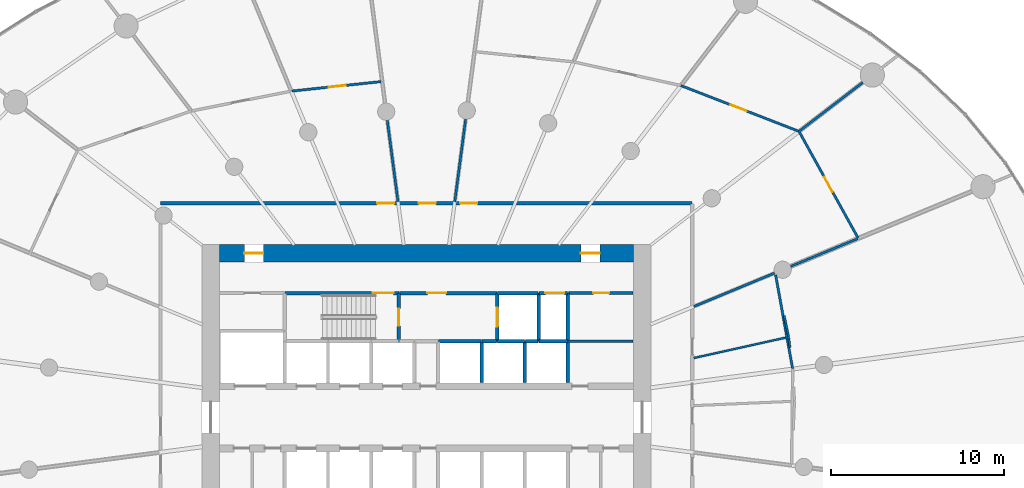
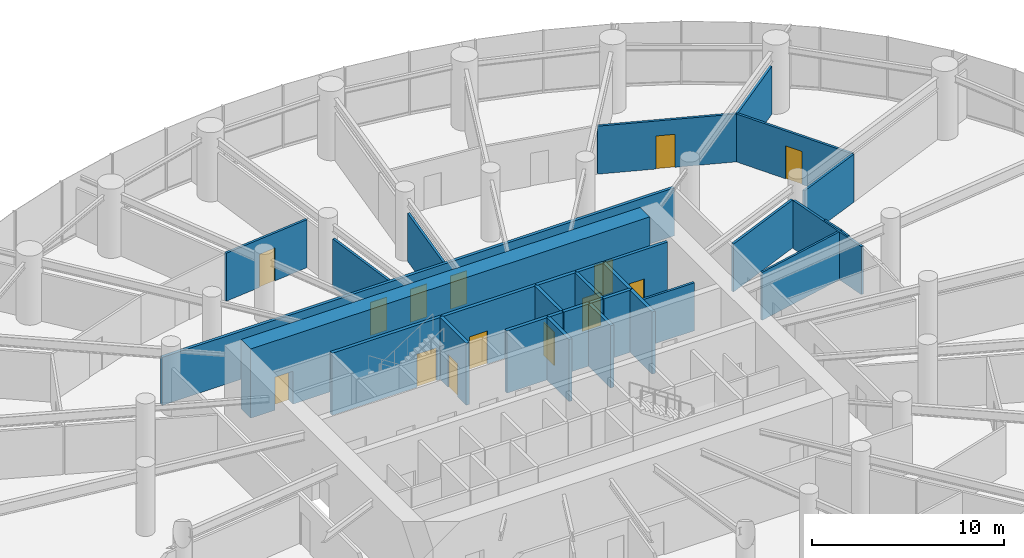
# One storey, part 15 of 19: 32 walls, 14 doors, 14 openings.
"""IFC4 building model written with IfcOpenShell, lengths in metres."""

import ifcopenshell
import ifcopenshell.guid

model = None  # the IFC model being written
_history = None  # IfcOwnerHistory: only IFC2X3 demands one
_inside = {}  # id of a spatial element -> (the spatial element, [elements in it])
_under = {}  # id of a project, library or spatial element -> (it, [spatial elements below it])
_declared = {}  # id of a project -> (the project, [libraries it declares])
_typed = {}  # id of a type object -> (the type object, [elements of that type])
_made_of = {}  # id of a material, layer set ... -> (it, [elements and type objects made of it])


def new_model(schema):
    """Start an empty IFC model of exactly this schema.

    Asked for "IFC4X3", IfcOpenShell would pick the latest addendum, in which some entities
    have other attributes; the version numbers below select the first issue.
    IFC2X3 requires an IfcOwnerHistory on every rooted entity: one is made here for all.
    """
    global model, _history
    if schema == "IFC4X3":
        model = ifcopenshell.file(schema_version=(4, 3, 0, 0))
    else:
        model = ifcopenshell.file(schema=schema)
    _inside.clear()
    _under.clear()
    _declared.clear()
    _typed.clear()
    _made_of.clear()
    _history = None
    if model.schema == "IFC2X3":
        org = make("IfcOrganization", Name="unknown")
        user = make(
            "IfcPersonAndOrganization",
            ThePerson=make("IfcPerson", FamilyName="unknown"),
            TheOrganization=org,
        )
        app = make(
            "IfcApplication",
            ApplicationDeveloper=org,
            Version="unknown",
            ApplicationFullName="unknown",
            ApplicationIdentifier="unknown",
        )
        _history = make(
            "IfcOwnerHistory",
            OwningUser=user,
            OwningApplication=app,
            ChangeAction="ADDED",
            CreationDate=0,
        )
    return model


def make(cls, **values):
    """One entity of the class cls with the attributes given. An attribute that is None is left unset."""
    return model.create_entity(
        cls, **{name: value for name, value in values.items() if value is not None}
    )


def rooted(cls, **values):
    """An entity with a GlobalId (a new one), such as an element, a storey or a relation."""
    return make(cls, GlobalId=ifcopenshell.guid.new(), OwnerHistory=_history, **values)


def si_unit(unit_type, name, prefix=None):
    """IfcSIUnit, for example si_unit("LENGTHUNIT", "METRE", prefix="MILLI")."""
    return make("IfcSIUnit", UnitType=unit_type, Prefix=prefix, Name=name)


def assignment(units):
    """IfcUnitAssignment: the units of a project."""
    return None if units is None else make("IfcUnitAssignment", Units=units)


def point(xyz):
    """IfcCartesianPoint."""
    return None if xyz is None else make("IfcCartesianPoint", Coordinates=xyz)


def direction(xyz):
    """IfcDirection."""
    return None if xyz is None else make("IfcDirection", DirectionRatios=xyz)


def frame(location, z_axis=None, x_axis=None):
    """IfcAxis2Placement3D, a coordinate frame: its origin and axes. An axis left out is left unset."""
    return make(
        "IfcAxis2Placement3D",
        Location=point(location),
        Axis=direction(z_axis),
        RefDirection=direction(x_axis),
    )


def frame_2d(location, x_axis=None):
    """IfcAxis2Placement2D, a coordinate frame in the plane: its origin and x axis."""
    return make(
        "IfcAxis2Placement2D", Location=point(location), RefDirection=direction(x_axis)
    )


def origin():
    """The frame at (0, 0, 0) with its axes left unset."""
    return frame((0.0, 0.0, 0.0))


def place(relative_to, where):
    """IfcLocalPlacement: puts the frame where relative to a parent placement (None: the world)."""
    return make(
        "IfcLocalPlacement", PlacementRelTo=relative_to, RelativePlacement=where
    )


def context(
    kind, dimensions, precision=None, world=None, true_north=None, identifier=None
):
    """IfcGeometricRepresentationContext, for example the 3D "Model" context."""
    return make(
        "IfcGeometricRepresentationContext",
        ContextIdentifier=identifier,
        ContextType=kind,
        CoordinateSpaceDimension=dimensions,
        Precision=precision,
        WorldCoordinateSystem=world,
        TrueNorth=true_north,
    )


def subcontext(parent, identifier, kind, view, scale=None):
    """IfcGeometricRepresentationSubContext, for example "Body" below "Model"."""
    return make(
        "IfcGeometricRepresentationSubContext",
        ContextIdentifier=identifier,
        ContextType=kind,
        ParentContext=parent,
        TargetScale=scale,
        TargetView=view,
    )


def project(units=None, contexts=None):
    """IfcProject with its units and contexts."""
    return rooted(
        "IfcProject",
        Name="project",
        RepresentationContexts=contexts,
        UnitsInContext=assignment(units),
    )


def spatial(cls, under=None, at=None, **own):
    """A site, building, storey or space (cls), placed at a placement, below another one or the project."""
    s = rooted(cls, ObjectPlacement=at, **own)
    if under is not None:
        _under.setdefault(under.id(), (under, []))[1].append(s)
    return s


def profile(cls, at=None, kind="AREA", **sizes):
    """A parametric profile (cls). Its sizes go by their IFC names, for example OverallWidth=200.0."""
    return make(cls, ProfileType=kind, Position=at, **sizes)


def rectangle(**sizes):
    """IfcRectangleProfileDef."""
    return profile("IfcRectangleProfileDef", **sizes)


def extrude(swept, where, along, depth):
    """IfcExtrudedAreaSolid: the profile swept, set in the frame where, extruded along a direction by depth."""
    return make(
        "IfcExtrudedAreaSolid",
        SweptArea=swept,
        Position=where,
        ExtrudedDirection=direction(along),
        Depth=depth,
    )


def shape(context_of_items, identifier, shape_type, items):
    """IfcShapeRepresentation: the items that make up one representation, for example the "Body"."""
    return make(
        "IfcShapeRepresentation",
        ContextOfItems=context_of_items,
        RepresentationIdentifier=identifier,
        RepresentationType=shape_type,
        Items=items,
    )


def source(mapping_origin, context_of_items, identifier, shape_type, items):
    """IfcRepresentationMap: a shape defined once, which mapped items show again and again."""
    return make(
        "IfcRepresentationMap",
        MappingOrigin=mapping_origin,
        MappedRepresentation=shape(context_of_items, identifier, shape_type, items),
    )


def transform(
    local_origin,
    x_axis=None,
    y_axis=None,
    z_axis=None,
    scale=None,
    scale2=None,
    scale3=None,
    uniform=True,
):
    """IfcCartesianTransformationOperator3D, or its non-uniform kind. x_axis, y_axis, z_axis: its Axis1, 2, 3."""
    if uniform:
        return make(
            "IfcCartesianTransformationOperator3D",
            Axis1=direction(x_axis),
            Axis2=direction(y_axis),
            LocalOrigin=point(local_origin),
            Scale=scale,
            Axis3=direction(z_axis),
        )
    return make(
        "IfcCartesianTransformationOperator3DnonUniform",
        Axis1=direction(x_axis),
        Axis2=direction(y_axis),
        LocalOrigin=point(local_origin),
        Scale=scale,
        Axis3=direction(z_axis),
        Scale2=scale2,
        Scale3=scale3,
    )


def mapped(mapping_source, mapping_target):
    """IfcMappedItem: shows the shape of a source again, moved by a transform."""
    return make(
        "IfcMappedItem", MappingSource=mapping_source, MappingTarget=mapping_target
    )


def material(Name=None, Category=None):
    """IfcMaterial."""
    return make("IfcMaterial", Name=Name, Category=Category)


def layer(
    of_material, thickness, ventilated=None, Name=None, Category=None, Priority=None
):
    """IfcMaterialLayer: one layer of a wall or slab, of a material (None: an air gap)."""
    return make(
        "IfcMaterialLayer",
        Material=of_material,
        LayerThickness=thickness,
        IsVentilated=ventilated,
        Name=Name,
        Category=Category,
        Priority=Priority,
    )


def layer_set(layers, Name=None):
    """IfcMaterialLayerSet."""
    return make("IfcMaterialLayerSet", MaterialLayers=layers, LayerSetName=Name)


def made_of(thing, what):
    """Note that an element or type object is made of a material, layer set ...; save() writes the relation."""
    if what is not None:
        _made_of.setdefault(what.id(), (what, []))[1].append(thing)
    return thing


def type_object(cls, material=None, **own):
    """A type object (cls), such as IfcWallType, which elements share."""
    return made_of(rooted(cls, **own), material)


def element(
    cls,
    number,
    at=None,
    inside=None,
    cuts=None,
    type_object=None,
    material=None,
    context=None,
    identifier="Body",
    shape_type=None,
    held_by="IfcProductDefinitionShape",
    body=None,
    shapes=None,
    **own,
):
    """One element of the class cls, such as IfcWall. Its Tag is "e" and its number.

    at: its placement. inside: the storey or other place that contains it. cuts: it is an
    opening in that element (IfcRelVoidsElement). A single representation is given by context,
    identifier, shape_type and body (its items); several are given by shapes. held_by: the class
    of the entity that holds the representations. save() writes the other relations.
    """
    e = rooted(cls, Tag="e%d" % number, ObjectPlacement=at, **own)
    if body is not None:
        shapes = [shape(context, identifier, shape_type, body)]
    if shapes is not None:
        e.Representation = make(held_by, Representations=shapes)
    if inside is not None:
        _inside.setdefault(inside.id(), (inside, []))[1].append(e)
    if cuts is not None:
        rooted(
            "IfcRelVoidsElement", RelatingBuildingElement=cuts, RelatedOpeningElement=e
        )
    if type_object is not None:
        _typed.setdefault(type_object.id(), (type_object, []))[1].append(e)
    return made_of(e, material)


def fill(opening, filler):
    """IfcRelFillsElement: the door or window that sits in an opening."""
    return rooted(
        "IfcRelFillsElement",
        RelatingOpeningElement=opening,
        RelatedBuildingElement=filler,
    )


def aggregate(whole, parts):
    """IfcRelAggregates: a whole, such as a stair, and the parts it consists of."""
    return rooted("IfcRelAggregates", RelatingObject=whole, RelatedObjects=parts)


def save(model, path):
    """Write the relations noted so far, then the file.

    IfcRelAggregates (storeys below a building ...), IfcRelContainedInSpatialStructure (elements
    in a storey), IfcRelDefinesByType, IfcRelAssociatesMaterial and IfcRelDeclares: one each for
    every whole, place, type object, material and project.
    """
    for whole, parts in _under.values():
        aggregate(whole, parts)
    for where, things in _inside.values():
        rooted(
            "IfcRelContainedInSpatialStructure",
            RelatedElements=things,
            RelatingStructure=where,
        )
    for kind, things in _typed.values():
        rooted("IfcRelDefinesByType", RelatedObjects=things, RelatingType=kind)
    for what, things in _made_of.values():
        rooted("IfcRelAssociatesMaterial", RelatedObjects=things, RelatingMaterial=what)
    for by, libraries in _declared.values():
        rooted("IfcRelDeclares", RelatingContext=by, RelatedDefinitions=libraries)
    model.write(path)


model = new_model("IFC4")

# Units and contexts
model_context = context("Model", 3, precision=1e-05, world=origin(), true_north=direction((0.0, 1.0)))
body_context = subcontext(model_context, "Body", "Model", "MODEL_VIEW")
ifc_project = project(units=[si_unit("LENGTHUNIT", "METRE"), si_unit("AREAUNIT", "SQUARE_METRE"), si_unit("VOLUMEUNIT", "CUBIC_METRE"), si_unit("PLANEANGLEUNIT", "RADIAN"), si_unit("MASSUNIT", "GRAM", prefix="KILO")], contexts=[model_context])

# Site, building, storey
site_placement = place(None, origin())
site = spatial("IfcSite", under=ifc_project, at=site_placement, CompositionType="ELEMENT")
building_placement = place(site_placement, origin())
building = spatial("IfcBuilding", under=site, at=building_placement, Name="Spindrift Exchange Tower", CompositionType="ELEMENT")
storey_placement = place(building_placement, frame((0.0, 0.0, 27.0)))
storey = spatial("IfcBuildingStorey", under=building, at=storey_placement, Name="L06", CompositionType="ELEMENT", Elevation=27.0)

# Wall, openings, doors
ifc_material_1 = material(Name="Concrete 80 MPa", Category="concrete")
ifc_layer_1 = layer(ifc_material_1, 1.0)
ifc_layer_set_1 = layer_set([ifc_layer_1], Name="RC Core Wall 1000 Concrete 80 MPa")
wall_type_1 = type_object("IfcWallType", Name="RC Core Wall 1000 Concrete 80 MPa", PredefinedType="SHEAR", material=ifc_layer_set_1)
wall_1_placement = place(storey_placement, frame((64.0, 57.5, 0.0), z_axis=(0.0, 0.0, 1.0), x_axis=(-1.0, 0.0, 0.0)))
wall_1 = element("IfcWall", 1, at=wall_1_placement, inside=storey, type_object=wall_type_1, Name="Core wall N L06", PredefinedType="SHEAR", context=body_context, shape_type="SweptSolid", body=[
    extrude(rectangle(XDim=24.0, YDim=1.0, at=frame_2d((12.0, 0.0))), origin(), (0.0, 0.0, 1.0), 4.39990234375),
])
opening_1_placement = place(wall_1_placement, frame((21.449951171875, 0.0, 0.0)))
opening_1 = element("IfcOpeningElement", 2, at=opening_1_placement, cuts=wall_1, Name="Opening L06-D20", PredefinedType="OPENING", context=body_context, shape_type="SweptSolid", body=[
    extrude(rectangle(XDim=1.10009765625, YDim=2.10009765625, at=frame_2d((0.550048828125, 1.050048828125))), frame((0.0, 0.510009765625, 0.0), z_axis=(0.0, -1.0, 0.0), x_axis=(1.0, 0.0, 0.0)), (0.0, 0.0, 1.0), 1.02001953125),
])
opening_2_placement = place(wall_1_placement, frame((1.949951171875, 0.0, 0.0)))
opening_2 = element("IfcOpeningElement", 3, at=opening_2_placement, cuts=wall_1, Name="Opening L06-D21", PredefinedType="OPENING", context=body_context, shape_type="SweptSolid", body=[
    extrude(rectangle(XDim=1.10009765625, YDim=2.10009765625, at=frame_2d((0.550048828125, 1.050048828125))), frame((0.0, 0.510009765625, 0.0), z_axis=(0.0, -1.0, 0.0), x_axis=(1.0, 0.0, 0.0)), (0.0, 0.0, 1.0), 1.02001953125),
])
ifc_material_2 = material(Name="Steel fire door", Category="steel")
door_type_1 = type_object("IfcDoorType", Name="DR-STAIR-1100", OperationType="NOTDEFINED", PredefinedType="DOOR", material=ifc_material_2)
shared_shape_1 = source(origin(), body_context, "Body", "SweptSolid", [
    extrude(rectangle(XDim=1.10009765625, YDim=2.10009765625, at=frame_2d((0.550048828125, 1.050048828125))), frame((0.0, 0.02490234375, 0.0), z_axis=(0.0, -1.0, 0.0), x_axis=(1.0, 0.0, 0.0)), (0.0, 0.0, 1.0), 0.050048828125),
])
door_1_placement = place(opening_1_placement, origin())
door_1 = element("IfcDoor", 4, at=door_1_placement, inside=storey, type_object=door_type_1, Name="L06 Stair door 20", OperationType="SINGLE_SWING_LEFT", OverallHeight=2.10009765625, OverallWidth=1.10009765625, PredefinedType="DOOR", context=body_context, shape_type="MappedRepresentation", body=[
    mapped(shared_shape_1, transform((0.0, 0.0, 0.0), scale=1.0)),
])
fill(opening_1, door_1)
door_2_placement = place(opening_2_placement, origin())
door_2 = element("IfcDoor", 5, at=door_2_placement, inside=storey, type_object=door_type_1, Name="L06 Stair door 21", OperationType="SINGLE_SWING_RIGHT", OverallHeight=2.10009765625, OverallWidth=1.10009765625, PredefinedType="DOOR", context=body_context, shape_type="MappedRepresentation", body=[
    mapped(shared_shape_1, transform((0.0, 0.0, 0.0), scale=1.0)),
])
fill(opening_2, door_2)

# Wall, opening, door
ifc_material_3 = material(Name="Fire-rated plasterboard partition", Category="gypsum")
ifc_layer_2 = layer(ifc_material_3, 0.179931640625)
ifc_layer_set_2 = layer_set([ifc_layer_2], Name="W-CORR-180")
wall_type_2 = type_object("IfcWallType", Name="W-CORR-180", PredefinedType="PARTITIONING", material=ifc_layer_set_2)
wall_2_placement = place(storey_placement, frame((63.97998046875, 55.199951171875, 0.0), z_axis=(0.0, 0.0, 1.0), x_axis=(-1.0, 0.0, 0.0)))
wall_2 = element("IfcWall", 6, at=wall_2_placement, inside=storey, type_object=wall_type_2, Name="L06 Partition wall 64", PredefinedType="PARTITIONING", context=body_context, shape_type="SweptSolid", body=[
    extrude(rectangle(XDim=3.75, YDim=0.179931640625, at=frame_2d((1.875, 0.0))), origin(), (0.0, 0.0, 1.0), 3.949951171875),
])
opening_3_placement = place(wall_2_placement, frame((1.39990234375, 0.0, 0.0)))
opening_3 = element("IfcOpeningElement", 7, at=opening_3_placement, cuts=wall_2, Name="Opening L06-D54", PredefinedType="OPENING", context=body_context, shape_type="SweptSolid", body=[
    extrude(rectangle(XDim=0.89990234375, YDim=2.10009765625, at=frame_2d((0.449951171875, 1.050048828125))), frame((0.0, 0.099853515625, 0.0), z_axis=(0.0, -1.0, 0.0), x_axis=(1.0, 0.0, 0.0)), (0.0, 0.0, 1.0), 0.199951171875),
])
ifc_material_4 = material(Name="Steel access door", Category="steel")
door_type_2 = type_object("IfcDoorType", Name="DR-RISER-900", OperationType="NOTDEFINED", PredefinedType="DOOR", material=ifc_material_4)
shared_shape_2 = source(origin(), body_context, "Body", "SweptSolid", [
    extrude(rectangle(XDim=0.89990234375, YDim=2.10009765625, at=frame_2d((0.449951171875, 1.050048828125))), frame((0.0, 0.02490234375, 0.0), z_axis=(0.0, -1.0, 0.0), x_axis=(1.0, 0.0, 0.0)), (0.0, 0.0, 1.0), 0.050048828125),
])
door_3_placement = place(opening_3_placement, origin())
door_3 = element("IfcDoor", 8, at=door_3_placement, inside=storey, type_object=door_type_2, Name="L06 Riser door 54", OperationType="SINGLE_SWING_LEFT", OverallHeight=2.10009765625, OverallWidth=0.89990234375, PredefinedType="DOOR", context=body_context, shape_type="MappedRepresentation", body=[
    mapped(shared_shape_2, transform((0.0, 0.0, 0.0), scale=1.0)),
])
fill(opening_3, door_3)

# Wall
ifc_layer_3 = layer(ifc_material_3, 0.139892578125)
ifc_layer_set_3 = layer_set([ifc_layer_3], Name="W-PART-140")
wall_type_3 = type_object("IfcWallType", Name="W-PART-140", PredefinedType="PARTITIONING", material=ifc_layer_set_3)
wall_3_placement = place(storey_placement, frame((73.215087890625, 50.8232421875, 0.0), z_axis=(0.0, 0.0, 1.0), x_axis=(-0.178121903576, 0.984008428555, 0.0)))
element("IfcWall", 9, at=wall_3_placement, inside=storey, type_object=wall_type_3, Name="L06 Partition wall 92", PredefinedType="PARTITIONING", context=body_context, shape_type="SweptSolid", body=[
    extrude(rectangle(XDim=5.515380859375, YDim=0.139892578125, at=frame_2d((2.7578125, 0.0))), origin(), (0.0, 0.0, 1.0), 3.050048828125),
])

# Wall, opening, door
wall_4_placement = place(storey_placement, frame((44.20263671875, 66.89990234375, 0.0), z_axis=(0.0, 0.0, 1.0), x_axis=(0.994449435574, 0.105215588614, 0.0)))
wall_4 = element("IfcWall", 10, at=wall_4_placement, inside=storey, type_object=wall_type_3, Name="L06 Partition wall 95", PredefinedType="PARTITIONING", context=body_context, shape_type="SweptSolid", body=[
    extrude(rectangle(XDim=5.1953125, YDim=0.139892578125, at=frame_2d((2.59765625, 0.0))), origin(), (0.0, 0.0, 1.0), 3.050048828125),
])
opening_4_placement = place(wall_4_placement, frame((2.1455078125, 0.0, 0.0)))
opening_4 = element("IfcOpeningElement", 11, at=opening_4_placement, cuts=wall_4, Name="Opening L06-D35", PredefinedType="OPENING", context=body_context, shape_type="SweptSolid", body=[
    extrude(rectangle(XDim=1.0, YDim=2.10009765625, at=frame_2d((0.5, 1.050048828125))), frame((0.0, 0.079833984375, 0.0), z_axis=(0.0, -1.0, 0.0), x_axis=(1.0, 0.0, 0.0)), (0.0, 0.0, 1.0), 0.159912109375),
])
ifc_material_5 = material(Name="Timber-core fire door", Category="wood")
door_type_3 = type_object("IfcDoorType", Name="DR-ROOM-1000", OperationType="NOTDEFINED", PredefinedType="DOOR", material=ifc_material_5)
shared_shape_3 = source(origin(), body_context, "Body", "SweptSolid", [
    extrude(rectangle(XDim=1.0, YDim=2.10009765625, at=frame_2d((0.5, 1.050048828125))), frame((0.0, 0.02490234375, 0.0), z_axis=(0.0, -1.0, 0.0), x_axis=(1.0, 0.0, 0.0)), (0.0, 0.0, 1.0), 0.050048828125),
])
door_4_placement = place(opening_4_placement, origin())
door_4 = element("IfcDoor", 12, at=door_4_placement, inside=storey, type_object=door_type_3, Name="L06 Door 35", OperationType="SINGLE_SWING_RIGHT", OverallHeight=2.10009765625, OverallWidth=1.0, PredefinedType="DOOR", context=body_context, shape_type="MappedRepresentation", body=[
    mapped(shared_shape_3, transform((0.0, 0.0, 0.0), scale=1.0)),
])
fill(opening_4, door_4)

# Walls
wall_5_placement = place(storey_placement, frame((73.611328125, 64.5830078125, 0.0), z_axis=(0.0, 0.0, 1.0), x_axis=(0.793369862055, 0.608739896821, 0.0)))
element("IfcWall", 13, at=wall_5_placement, inside=storey, type_object=wall_type_3, Name="L06 Partition wall 101", PredefinedType="PARTITIONING", context=body_context, shape_type="SweptSolid", body=[
    extrude(rectangle(XDim=4.6201171875, YDim=0.139892578125, at=frame_2d((2.31005859375, 0.0))), origin(), (0.0, 0.0, 1.0), 3.050048828125),
])
wall_6_placement = place(storey_placement, frame((63.97998046875, 52.39990234375, 0.0), z_axis=(0.0, 0.0, 1.0), x_axis=(-1.0, 0.0, 0.0)))
element("IfcWall", 14, at=wall_6_placement, inside=storey, type_object=wall_type_3, Name="L06 Partition wall 107", PredefinedType="PARTITIONING", context=body_context, shape_type="SweptSolid", body=[
    extrude(rectangle(XDim=3.75, YDim=0.139892578125, at=frame_2d((1.875, 0.0))), origin(), (0.0, 0.0, 1.0), 3.050048828125),
])

# Wall, opening, door
ifc_layer_4 = layer(ifc_material_3, 0.139892578125)
ifc_layer_set_4 = layer_set([ifc_layer_4], Name="W-PLANT-140")
wall_type_4 = type_object("IfcWallType", Name="W-PLANT-140", PredefinedType="PARTITIONING", material=ifc_layer_set_4)
wall_7_placement = place(storey_placement, frame((66.7470703125, 67.21875, 0.0), z_axis=(0.0, 0.0, 1.0), x_axis=(0.932284149261, -0.361726782305, 0.0)))
wall_7 = element("IfcWall", 15, at=wall_7_placement, inside=storey, type_object=wall_type_4, Name="L06 Partition wall 70", PredefinedType="PARTITIONING", context=body_context, shape_type="SweptSolid", body=[
    extrude(rectangle(XDim=7.337158203125, YDim=0.139892578125, at=frame_2d((3.66845703125, 0.0))), origin(), (0.0, 0.0, 1.0), 3.050048828125),
])
opening_5_placement = place(wall_7_placement, frame((3.08740234375, 0.0, 0.0)))
opening_5 = element("IfcOpeningElement", 16, at=opening_5_placement, cuts=wall_7, Name="Opening L06-D29", PredefinedType="OPENING", context=body_context, shape_type="SweptSolid", body=[
    extrude(rectangle(XDim=1.0, YDim=2.10009765625, at=frame_2d((0.5, 1.050048828125))), frame((0.0, 0.079833984375, 0.0), z_axis=(0.0, -1.0, 0.0), x_axis=(1.0, 0.0, 0.0)), (0.0, 0.0, 1.0), 0.159912109375),
])
door_5_placement = place(opening_5_placement, origin())
door_5 = element("IfcDoor", 17, at=door_5_placement, inside=storey, type_object=door_type_3, Name="L06 Door 29", OperationType="SINGLE_SWING_RIGHT", OverallHeight=2.10009765625, OverallWidth=1.0, PredefinedType="DOOR", context=body_context, shape_type="MappedRepresentation", body=[
    mapped(shared_shape_3, transform((0.0, 0.0, 0.0), scale=1.0)),
])
fill(opening_5, door_5)

wall_8_placement = place(storey_placement, frame((73.60205078125, 64.53857421875, 0.0), z_axis=(0.0, 0.0, 1.0), x_axis=(0.484486331766, -0.874798830779, 0.0)))
wall_8 = element("IfcWall", 18, at=wall_8_placement, inside=storey, type_object=wall_type_4, Name="L06 Partition wall 73", PredefinedType="PARTITIONING", context=body_context, shape_type="SweptSolid", body=[
    extrude(rectangle(XDim=7.028076171875, YDim=0.139892578125, at=frame_2d((3.51416015625, 0.0))), origin(), (0.0, 0.0, 1.0), 3.050048828125),
])
opening_6_placement = place(wall_8_placement, frame((2.977783203125, 0.0, 0.0)))
opening_6 = element("IfcOpeningElement", 19, at=opening_6_placement, cuts=wall_8, Name="Opening L06-D28", PredefinedType="OPENING", context=body_context, shape_type="SweptSolid", body=[
    extrude(rectangle(XDim=1.0, YDim=2.10009765625, at=frame_2d((0.5, 1.050048828125))), frame((0.0, 0.079833984375, 0.0), z_axis=(0.0, -1.0, 0.0), x_axis=(1.0, 0.0, 0.0)), (0.0, 0.0, 1.0), 0.159912109375),
])
door_6_placement = place(opening_6_placement, origin())
door_6 = element("IfcDoor", 20, at=door_6_placement, inside=storey, type_object=door_type_3, Name="L06 Door 28", OperationType="SINGLE_SWING_LEFT", OverallHeight=2.10009765625, OverallWidth=1.0, PredefinedType="DOOR", context=body_context, shape_type="MappedRepresentation", body=[
    mapped(shared_shape_3, transform((0.0, 0.0, 0.0), scale=1.0)),
])
fill(opening_6, door_6)

# Walls
wall_9_placement = place(storey_placement, frame((67.489990234375, 54.416259765625, 0.0), z_axis=(0.0, 0.0, 1.0), x_axis=(0.923890025086, 0.382658100067, 0.0)))
element("IfcWall", 21, at=wall_9_placement, inside=storey, type_object=wall_type_4, Name="L06 Partition wall 96", PredefinedType="PARTITIONING", context=body_context, shape_type="SweptSolid", body=[
    extrude(rectangle(XDim=5.068359375, YDim=0.139892578125, at=frame_2d((2.5341796875, 0.0))), origin(), (0.0, 0.0, 1.0), 3.050048828125),
])
wall_10_placement = place(storey_placement, frame((53.644287109375, 60.489990234375, 0.0), z_axis=(0.0, 0.0, 1.0), x_axis=(0.130523979823, 0.991445152639, 0.0)))
element("IfcWall", 22, at=wall_10_placement, inside=storey, type_object=wall_type_4, Name="L06 Partition wall 99", PredefinedType="PARTITIONING", context=body_context, shape_type="SweptSolid", body=[
    extrude(rectangle(XDim=4.818359375, YDim=0.139892578125, at=frame_2d((2.4091796875, 0.0))), origin(), (0.0, 0.0, 1.0), 3.050048828125),
])
wall_11_placement = place(storey_placement, frame((50.355712890625, 60.489990234375, 0.0), z_axis=(0.0, 0.0, 1.0), x_axis=(-0.130548834981, 0.991441880135, 0.0)))
element("IfcWall", 23, at=wall_11_placement, inside=storey, type_object=wall_type_4, Name="L06 Partition wall 100", PredefinedType="PARTITIONING", context=body_context, shape_type="SweptSolid", body=[
    extrude(rectangle(XDim=4.75390625, YDim=0.139892578125, at=frame_2d((2.376953125, 0.0))), origin(), (0.0, 0.0, 1.0), 3.050048828125),
])
wall_12_placement = place(storey_placement, frame((73.10595703125, 56.7421875, 0.0), z_axis=(0.0, 0.0, 1.0), x_axis=(0.923866219986, 0.382715570063, 0.0)))
element("IfcWall", 24, at=wall_12_placement, inside=storey, type_object=wall_type_4, Name="L06 Partition wall 103", PredefinedType="PARTITIONING", context=body_context, shape_type="SweptSolid", body=[
    extrude(rectangle(XDim=4.208251953125, YDim=0.139892578125, at=frame_2d((2.10400390625, 0.0))), origin(), (0.0, 0.0, 1.0), 3.050048828125),
])

# Wall, openings, doors
ifc_layer_5 = layer(ifc_material_3, 0.179931640625)
ifc_layer_set_5 = layer_set([ifc_layer_5], Name="W-PLANT-180")
wall_type_5 = type_object("IfcWallType", Name="W-PLANT-180", PredefinedType="PARTITIONING", material=ifc_layer_set_5)
wall_13_placement = place(storey_placement, frame((36.60009765625, 60.39990234375, 0.0), z_axis=(0.0, 0.0, 1.0), x_axis=(1.0, 0.0, 0.0)))
wall_13 = element("IfcWall", 25, at=wall_13_placement, inside=storey, type_object=wall_type_5, Name="L06 Partition wall 58", PredefinedType="PARTITIONING", context=body_context, shape_type="SweptSolid", body=[
    extrude(rectangle(XDim=30.7998046875, YDim=0.179931640625, at=frame_2d((15.39990234375, 0.0))), origin(), (0.0, 0.0, 1.0), 3.050048828125),
])
opening_7_placement = place(wall_13_placement, frame((17.35009765625, 0.0, 0.0)))
opening_7 = element("IfcOpeningElement", 26, at=opening_7_placement, cuts=wall_13, Name="Opening L06-D27", PredefinedType="OPENING", context=body_context, shape_type="SweptSolid", body=[
    extrude(rectangle(XDim=1.0, YDim=2.10009765625, at=frame_2d((0.5, 1.050048828125))), frame((0.0, 0.099853515625, 0.0), z_axis=(0.0, -1.0, 0.0), x_axis=(1.0, 0.0, 0.0)), (0.0, 0.0, 1.0), 0.199951171875),
])
opening_8_placement = place(wall_13_placement, frame((14.949951171875, 0.0, 0.0)))
opening_8 = element("IfcOpeningElement", 27, at=opening_8_placement, cuts=wall_13, Name="Opening L06-D33", PredefinedType="OPENING", context=body_context, shape_type="SweptSolid", body=[
    extrude(rectangle(XDim=1.0, YDim=2.10009765625, at=frame_2d((0.5, 1.050048828125))), frame((0.0, 0.099853515625, 0.0), z_axis=(0.0, -1.0, 0.0), x_axis=(1.0, 0.0, 0.0)), (0.0, 0.0, 1.0), 0.199951171875),
])
opening_9_placement = place(wall_13_placement, frame((12.550048828125, 0.0, 0.0)))
opening_9 = element("IfcOpeningElement", 28, at=opening_9_placement, cuts=wall_13, Name="Opening L06-D34", PredefinedType="OPENING", context=body_context, shape_type="SweptSolid", body=[
    extrude(rectangle(XDim=1.0, YDim=2.10009765625, at=frame_2d((0.5, 1.050048828125))), frame((0.0, 0.099853515625, 0.0), z_axis=(0.0, -1.0, 0.0), x_axis=(1.0, 0.0, 0.0)), (0.0, 0.0, 1.0), 0.199951171875),
])
door_7_placement = place(opening_7_placement, origin())
door_7 = element("IfcDoor", 29, at=door_7_placement, inside=storey, type_object=door_type_3, Name="L06 Door 27", OperationType="SINGLE_SWING_RIGHT", OverallHeight=2.10009765625, OverallWidth=1.0, PredefinedType="DOOR", context=body_context, shape_type="MappedRepresentation", body=[
    mapped(shared_shape_3, transform((0.0, 0.0, 0.0), scale=1.0)),
])
fill(opening_7, door_7)
door_8_placement = place(opening_8_placement, origin())
door_8 = element("IfcDoor", 30, at=door_8_placement, inside=storey, type_object=door_type_3, Name="L06 Door 33", OperationType="SINGLE_SWING_RIGHT", OverallHeight=2.10009765625, OverallWidth=1.0, PredefinedType="DOOR", context=body_context, shape_type="MappedRepresentation", body=[
    mapped(shared_shape_3, transform((0.0, 0.0, 0.0), scale=1.0)),
])
fill(opening_8, door_8)
door_9_placement = place(opening_9_placement, origin())
door_9 = element("IfcDoor", 31, at=door_9_placement, inside=storey, type_object=door_type_3, Name="L06 Door 34", OperationType="SINGLE_SWING_LEFT", OverallHeight=2.10009765625, OverallWidth=1.0, PredefinedType="DOOR", context=body_context, shape_type="MappedRepresentation", body=[
    mapped(shared_shape_3, transform((0.0, 0.0, 0.0), scale=1.0)),
])
fill(opening_9, door_9)

# Wall, opening, door
ifc_material_6 = material(Name="Concrete 40 MPa", Category="concrete")
ifc_layer_6 = layer(ifc_material_6, 0.199951171875)
ifc_layer_set_6 = layer_set([ifc_layer_6], Name="W-SHAFT-200")
wall_type_6 = type_object("IfcWallType", Name="W-SHAFT-200", PredefinedType="SOLIDWALL", material=ifc_layer_set_6)
wall_14_placement = place(storey_placement, frame((56.10009765625, 55.169921875, 0.0), z_axis=(0.0, 0.0, 1.0), x_axis=(0.0, -1.0, 0.0)))
wall_14 = element("IfcWall", 32, at=wall_14_placement, inside=storey, type_object=wall_type_6, Name="L06 Shaft wall 12", PredefinedType="SOLIDWALL", context=body_context, shape_type="SweptSolid", body=[
    extrude(rectangle(XDim=2.77001953125, YDim=0.199951171875, at=frame_2d((1.385009765625, 0.0))), origin(), (0.0, 0.0, 1.0), 3.949951171875),
])
opening_10_placement = place(wall_14_placement, frame((0.820068359375, 0.0, 0.0)))
opening_10 = element("IfcOpeningElement", 33, at=opening_10_placement, cuts=wall_14, Name="Opening L06-D9", PredefinedType="OPENING", context=body_context, shape_type="SweptSolid", body=[
    extrude(rectangle(XDim=1.10009765625, YDim=2.10009765625, at=frame_2d((0.550048828125, 1.050048828125))), frame((0.0, 0.10986328125, 0.0), z_axis=(0.0, -1.0, 0.0), x_axis=(1.0, 0.0, 0.0)), (0.0, 0.0, 1.0), 0.219970703125),
])
ifc_material_7 = material(Name="Stainless steel landing door", Category="steel")
door_type_4 = type_object("IfcDoorType", Name="DR-LANDING-1100-SL", OperationType="DOUBLE_DOOR_SLIDING", PredefinedType="USERDEFINED", material=ifc_material_7)
shared_shape_4 = source(origin(), body_context, "Body", "SweptSolid", [
    extrude(rectangle(XDim=1.10009765625, YDim=2.10009765625, at=frame_2d((0.550048828125, 1.050048828125))), frame((0.0, 0.02490234375, 0.0), z_axis=(0.0, -1.0, 0.0), x_axis=(1.0, 0.0, 0.0)), (0.0, 0.0, 1.0), 0.050048828125),
])
door_10_placement = place(opening_10_placement, origin())
door_10 = element("IfcDoor", 34, at=door_10_placement, inside=storey, type_object=door_type_4, Name="L06 Lift landing door 9", ObjectType="LANDING DOOR", OperationType="DOUBLE_DOOR_SLIDING", OverallHeight=2.10009765625, OverallWidth=1.10009765625, PredefinedType="USERDEFINED", context=body_context, shape_type="MappedRepresentation", body=[
    mapped(shared_shape_4, transform((0.0, 0.0, 0.0), scale=1.0)),
])
fill(opening_10, door_10)

# Walls
for number, where, z_axis, x_axis, name in (
    (35, (58.5, 52.39990234375, 0.0), (0.0, 0.0, 1.0), (0.0, 1.0, 0.0), "L06 Shaft wall 13"),
    (36, (60.199951171875, 52.39990234375, 0.0), (0.0, 0.0, 1.0), (0.0, 1.0, 0.0), "L06 Shaft wall 14"),
):
    element("IfcWall", number, at=place(storey_placement, frame(where, z_axis=z_axis, x_axis=x_axis)), inside=storey, type_object=wall_type_6, Name=name, PredefinedType="SOLIDWALL", context=body_context, shape_type="SweptSolid", body=[
        extrude(rectangle(XDim=2.800048828125, YDim=0.199951171875, at=frame_2d((1.39990234375, 0.0))), origin(), (0.0, 0.0, 1.0), 3.949951171875),
    ])
wall_15_placement = place(storey_placement, frame((55.199951171875, 52.39990234375, 0.0), z_axis=(0.0, 0.0, 1.0), x_axis=(-1.0, 0.0, 0.0)))
element("IfcWall", 37, at=wall_15_placement, inside=storey, type_object=wall_type_6, Name="L06 Shaft wall 18", PredefinedType="SOLIDWALL", context=body_context, shape_type="SweptSolid", body=[
    extrude(rectangle(XDim=2.5, YDim=0.199951171875, at=frame_2d((1.25, 0.0))), origin(), (0.0, 0.0, 1.0), 3.949951171875),
])
wall_16_placement = place(storey_placement, frame((58.469970703125, 55.199951171875, 0.0), z_axis=(0.0, 0.0, 1.0), x_axis=(-1.0, 0.0, 0.0)))
element("IfcWall", 38, at=wall_16_placement, inside=storey, type_object=wall_type_6, Name="L06 Shaft wall 22", PredefinedType="SOLIDWALL", context=body_context, shape_type="SweptSolid", body=[
    extrude(rectangle(XDim=2.340087890625, YDim=0.199951171875, at=frame_2d((1.169921875, 0.0))), origin(), (0.0, 0.0, 1.0), 3.949951171875),
])
wall_17_placement = place(storey_placement, frame((55.199951171875, 50.010009765625, 0.0), z_axis=(0.0, 0.0, 1.0), x_axis=(0.0, 1.0, 0.0)))
element("IfcWall", 39, at=wall_17_placement, inside=storey, type_object=wall_type_6, Name="L06 Shaft wall 34", PredefinedType="SOLIDWALL", context=body_context, shape_type="SweptSolid", body=[
    extrude(rectangle(XDim=2.360107421875, YDim=0.199951171875, at=frame_2d((1.18017578125, 0.0))), origin(), (0.0, 0.0, 1.0), 3.949951171875),
])
wall_18_placement = place(storey_placement, frame((57.699951171875, 50.010009765625, 0.0), z_axis=(0.0, 0.0, 1.0), x_axis=(0.0, 1.0, 0.0)))
element("IfcWall", 40, at=wall_18_placement, inside=storey, type_object=wall_type_6, Name="L06 Shaft wall 36", PredefinedType="SOLIDWALL", context=body_context, shape_type="SweptSolid", body=[
    extrude(rectangle(XDim=2.389892578125, YDim=0.199951171875, at=frame_2d((1.19482421875, 0.0))), origin(), (0.0, 0.0, 1.0), 3.949951171875),
])
wall_19_placement = place(storey_placement, frame((60.199951171875, 50.010009765625, 0.0), z_axis=(0.0, 0.0, 1.0), x_axis=(0.0, 1.0, 0.0)))
element("IfcWall", 41, at=wall_19_placement, inside=storey, type_object=wall_type_6, Name="L06 Shaft wall 38", PredefinedType="SOLIDWALL", context=body_context, shape_type="SweptSolid", body=[
    extrude(rectangle(XDim=2.360107421875, YDim=0.199951171875, at=frame_2d((1.18017578125, 0.0))), origin(), (0.0, 0.0, 1.0), 3.949951171875),
])
wall_20_placement = place(storey_placement, frame((60.169921875, 52.39990234375, 0.0), z_axis=(0.0, 0.0, 1.0), x_axis=(-1.0, 0.0, 0.0)))
element("IfcWall", 42, at=wall_20_placement, inside=storey, type_object=wall_type_6, Name="L06 Shaft wall 42", PredefinedType="SOLIDWALL", context=body_context, shape_type="SweptSolid", body=[
    extrude(rectangle(XDim=1.639892578125, YDim=0.199951171875, at=frame_2d((0.81982421875, 0.0))), origin(), (0.0, 0.0, 1.0), 3.949951171875),
])

# Wall, opening, door
wall_21_placement = place(storey_placement, frame((60.169921875, 55.199951171875, 0.0), z_axis=(0.0, 0.0, 1.0), x_axis=(-1.0, 0.0, 0.0)))
wall_21 = element("IfcWall", 43, at=wall_21_placement, inside=storey, type_object=wall_type_6, Name="L06 Shaft wall 43", PredefinedType="SOLIDWALL", context=body_context, shape_type="SweptSolid", body=[
    extrude(rectangle(XDim=1.639892578125, YDim=0.199951171875, at=frame_2d((0.81982421875, 0.0))), origin(), (0.0, 0.0, 1.0), 3.949951171875),
])
opening_11_placement = place(wall_21_placement, frame((0.169921875, 0.0, 0.0)))
opening_11 = element("IfcOpeningElement", 44, at=opening_11_placement, cuts=wall_21, Name="Opening L06-D11", PredefinedType="OPENING", context=body_context, shape_type="SweptSolid", body=[
    extrude(rectangle(XDim=1.10009765625, YDim=2.10009765625, at=frame_2d((0.550048828125, 1.050048828125))), frame((0.0, 0.10986328125, 0.0), z_axis=(0.0, -1.0, 0.0), x_axis=(1.0, 0.0, 0.0)), (0.0, 0.0, 1.0), 0.219970703125),
])
door_11_placement = place(opening_11_placement, origin())
door_11 = element("IfcDoor", 45, at=door_11_placement, inside=storey, type_object=door_type_4, Name="L06 Lift landing door 11", ObjectType="LANDING DOOR", OperationType="DOUBLE_DOOR_SLIDING", OverallHeight=2.10009765625, OverallWidth=1.10009765625, PredefinedType="USERDEFINED", context=body_context, shape_type="MappedRepresentation", body=[
    mapped(shared_shape_4, transform((0.0, 0.0, 0.0), scale=1.0)),
])
fill(opening_11, door_11)

# Walls
wall_22_placement = place(storey_placement, frame((57.669921875, 52.39990234375, 0.0), z_axis=(0.0, 0.0, 1.0), x_axis=(-1.0, 0.0, 0.0)))
element("IfcWall", 46, at=wall_22_placement, inside=storey, type_object=wall_type_6, Name="L06 Shaft wall 47", PredefinedType="SOLIDWALL", context=body_context, shape_type="SweptSolid", body=[
    extrude(rectangle(XDim=1.5400390625, YDim=0.199951171875, at=frame_2d((0.77001953125, 0.0))), origin(), (0.0, 0.0, 1.0), 3.949951171875),
])
wall_23_placement = place(storey_placement, frame((56.070068359375, 52.39990234375, 0.0), z_axis=(0.0, 0.0, 1.0), x_axis=(-1.0, 0.0, 0.0)))
element("IfcWall", 47, at=wall_23_placement, inside=storey, type_object=wall_type_6, Name="L06 Shaft wall 53", PredefinedType="SOLIDWALL", context=body_context, shape_type="SweptSolid", body=[
    extrude(rectangle(XDim=0.840087890625, YDim=0.199951171875, at=frame_2d((0.419921875, 0.0))), origin(), (0.0, 0.0, 1.0), 3.949951171875),
])
wall_24_placement = place(storey_placement, frame((58.469970703125, 52.39990234375, 0.0), z_axis=(0.0, 0.0, 1.0), x_axis=(-1.0, 0.0, 0.0)))
element("IfcWall", 48, at=wall_24_placement, inside=storey, type_object=wall_type_6, Name="L06 Shaft wall 55", PredefinedType="SOLIDWALL", context=body_context, shape_type="SweptSolid", body=[
    extrude(rectangle(XDim=0.739990234375, YDim=0.199951171875, at=frame_2d((0.3701171875, 0.0))), origin(), (0.0, 0.0, 1.0), 3.949951171875),
])

# Wall, opening, door
ifc_layer_7 = layer(ifc_material_6, 0.199951171875)
ifc_layer_set_7 = layer_set([ifc_layer_7], Name="W-SHAFT-200-LB")
wall_type_7 = type_object("IfcWallType", Name="W-SHAFT-200-LB", PredefinedType="SOLIDWALL", material=ifc_layer_set_7)
wall_25_placement = place(storey_placement, frame((50.39990234375, 55.199951171875, 0.0), z_axis=(0.0, 0.0, 1.0), x_axis=(-1.0, 0.0, 0.0)))
wall_25 = element("IfcWall", 49, at=wall_25_placement, inside=storey, type_object=wall_type_7, Name="L06 Shaft wall 1", PredefinedType="SOLIDWALL", context=body_context, shape_type="SweptSolid", body=[
    extrude(rectangle(XDim=6.599853515625, YDim=0.199951171875, at=frame_2d((3.2998046875, 0.0))), origin(), (0.0, 0.0, 1.0), 3.949951171875),
])
opening_12_placement = place(wall_25_placement, frame((0.300048828125, 0.0, 0.0)))
opening_12 = element("IfcOpeningElement", 50, at=opening_12_placement, cuts=wall_25, Name="Opening L06-D13", PredefinedType="OPENING", context=body_context, shape_type="SweptSolid", body=[
    extrude(rectangle(XDim=1.199951171875, YDim=2.10009765625, at=frame_2d((0.60009765625, 1.050048828125))), frame((0.0, 0.10986328125, 0.0), z_axis=(0.0, -1.0, 0.0), x_axis=(1.0, 0.0, 0.0)), (0.0, 0.0, 1.0), 0.219970703125),
])
door_type_5 = type_object("IfcDoorType", Name="DR-STAIR-1200", OperationType="NOTDEFINED", PredefinedType="DOOR", material=ifc_material_2)
shared_shape_5 = source(origin(), body_context, "Body", "SweptSolid", [
    extrude(rectangle(XDim=1.199951171875, YDim=2.10009765625, at=frame_2d((0.60009765625, 1.050048828125))), frame((0.0, 0.02490234375, 0.0), z_axis=(0.0, -1.0, 0.0), x_axis=(1.0, 0.0, 0.0)), (0.0, 0.0, 1.0), 0.050048828125),
])
door_12_placement = place(opening_12_placement, origin())
door_12 = element("IfcDoor", 51, at=door_12_placement, inside=storey, type_object=door_type_5, Name="L06 Stair door 13", OperationType="SINGLE_SWING_RIGHT", OverallHeight=2.10009765625, OverallWidth=1.199951171875, PredefinedType="DOOR", context=body_context, shape_type="MappedRepresentation", body=[
    mapped(shared_shape_5, transform((0.0, 0.0, 0.0), scale=1.0)),
])
fill(opening_12, door_12)

wall_26_placement = place(storey_placement, frame((56.10009765625, 55.199951171875, 0.0), z_axis=(0.0, 0.0, 1.0), x_axis=(-1.0, 0.0, 0.0)))
wall_26 = element("IfcWall", 52, at=wall_26_placement, inside=storey, type_object=wall_type_7, Name="L06 Shaft wall 4", PredefinedType="SOLIDWALL", context=body_context, shape_type="SweptSolid", body=[
    extrude(rectangle(XDim=5.670166015625, YDim=0.199951171875, at=frame_2d((2.8349609375, 0.0))), origin(), (0.0, 0.0, 1.0), 3.949951171875),
])
opening_13_placement = place(wall_26_placement, frame((2.949951171875, 0.0, 0.0)))
opening_13 = element("IfcOpeningElement", 53, at=opening_13_placement, cuts=wall_26, Name="Opening L06-D15", PredefinedType="OPENING", context=body_context, shape_type="SweptSolid", body=[
    extrude(rectangle(XDim=1.10009765625, YDim=2.10009765625, at=frame_2d((0.550048828125, 1.050048828125))), frame((0.0, 0.10986328125, 0.0), z_axis=(0.0, -1.0, 0.0), x_axis=(1.0, 0.0, 0.0)), (0.0, 0.0, 1.0), 0.219970703125),
])
door_type_6 = type_object("IfcDoorType", Name="DR-LOBBY-1100", OperationType="NOTDEFINED", PredefinedType="DOOR", material=ifc_material_5)
shared_shape_6 = source(origin(), body_context, "Body", "SweptSolid", [
    extrude(rectangle(XDim=1.10009765625, YDim=2.10009765625, at=frame_2d((0.550048828125, 1.050048828125))), frame((0.0, 0.02490234375, 0.0), z_axis=(0.0, -1.0, 0.0), x_axis=(1.0, 0.0, 0.0)), (0.0, 0.0, 1.0), 0.050048828125),
])
door_13_placement = place(opening_13_placement, origin())
door_13 = element("IfcDoor", 54, at=door_13_placement, inside=storey, type_object=door_type_6, Name="L06 Lobby door 15", OperationType="SINGLE_SWING_RIGHT", OverallHeight=2.10009765625, OverallWidth=1.10009765625, PredefinedType="DOOR", context=body_context, shape_type="MappedRepresentation", body=[
    mapped(shared_shape_6, transform((0.0, 0.0, 0.0), scale=1.0)),
])
fill(opening_13, door_13)

wall_27_placement = place(storey_placement, frame((50.39990234375, 52.39990234375, 0.0), z_axis=(0.0, 0.0, 1.0), x_axis=(0.0, 1.0, 0.0)))
wall_27 = element("IfcWall", 55, at=wall_27_placement, inside=storey, type_object=wall_type_7, Name="L06 Shaft wall 9", PredefinedType="SOLIDWALL", context=body_context, shape_type="SweptSolid", body=[
    extrude(rectangle(XDim=2.77001953125, YDim=0.199951171875, at=frame_2d((1.385009765625, 0.0))), origin(), (0.0, 0.0, 1.0), 3.949951171875),
])
opening_14_placement = place(wall_27_placement, frame((0.89990234375, 0.0, 0.0)))
opening_14 = element("IfcOpeningElement", 56, at=opening_14_placement, cuts=wall_27, Name="Opening L06-D14", PredefinedType="OPENING", context=body_context, shape_type="SweptSolid", body=[
    extrude(rectangle(XDim=1.0, YDim=2.10009765625, at=frame_2d((0.5, 1.050048828125))), frame((0.0, 0.10986328125, 0.0), z_axis=(0.0, -1.0, 0.0), x_axis=(1.0, 0.0, 0.0)), (0.0, 0.0, 1.0), 0.219970703125),
])
door_type_7 = type_object("IfcDoorType", Name="DR-STAIR-1000", OperationType="NOTDEFINED", PredefinedType="DOOR", material=ifc_material_2)
shared_shape_7 = source(origin(), body_context, "Body", "SweptSolid", [
    extrude(rectangle(XDim=1.0, YDim=2.10009765625, at=frame_2d((0.5, 1.050048828125))), frame((0.0, 0.02490234375, 0.0), z_axis=(0.0, -1.0, 0.0), x_axis=(1.0, 0.0, 0.0)), (0.0, 0.0, 1.0), 0.050048828125),
])
door_14_placement = place(opening_14_placement, origin())
door_14 = element("IfcDoor", 57, at=door_14_placement, inside=storey, type_object=door_type_7, Name="L06 Stair door 14", OperationType="SINGLE_SWING_LEFT", OverallHeight=2.10009765625, OverallWidth=1.0, PredefinedType="DOOR", context=body_context, shape_type="MappedRepresentation", body=[
    mapped(shared_shape_7, transform((0.0, 0.0, 0.0), scale=1.0)),
])
fill(opening_14, door_14)

# Walls
ifc_layer_8 = layer(ifc_material_3, 0.1201171875)
ifc_layer_set_8 = layer_set([ifc_layer_8], Name="W-WET-120")
wall_type_8 = type_object("IfcWallType", Name="W-WET-120", PredefinedType="PARTITIONING", material=ifc_layer_set_8)
wall_28_placement = place(storey_placement, frame((67.489990234375, 51.43408203125, 0.0), z_axis=(0.0, 0.0, 1.0), x_axis=(0.976301624895, 0.216414272234, 0.0)))
element("IfcWall", 58, at=wall_28_placement, inside=storey, type_object=wall_type_8, Name="L06 Partition wall 142", PredefinedType="PARTITIONING", context=body_context, shape_type="SweptSolid", body=[
    extrude(rectangle(XDim=5.458984375, YDim=0.1201171875, at=frame_2d((2.7294921875, 0.0))), origin(), (0.0, 0.0, 1.0), 3.050048828125),
])
wall_29_placement = place(storey_placement, frame((72.990478515625, 52.653564453125, 0.0), z_axis=(0.0, 0.0, 1.0), x_axis=(-0.205214844297, 0.978716949726, 0.0)))
element("IfcWall", 59, at=wall_29_placement, inside=storey, type_object=wall_type_8, Name="L06 Partition wall 143", PredefinedType="PARTITIONING", context=body_context, shape_type="SweptSolid", body=[
    extrude(rectangle(XDim=1.268310546875, YDim=0.1201171875, at=frame_2d((0.63427734375, 0.0))), origin(), (0.0, 0.0, 1.0), 3.050048828125),
])
wall_30_placement = place(storey_placement, frame((73.0673828125, 52.03271484375, 0.0), z_axis=(0.0, 0.0, 1.0), x_axis=(-0.122571436724, 0.992459693337, 0.0)))
element("IfcWall", 60, at=wall_30_placement, inside=storey, type_object=wall_type_8, Name="L06 Partition wall 145", PredefinedType="PARTITIONING", context=body_context, shape_type="SweptSolid", body=[
    extrude(rectangle(XDim=0.595458984375, YDim=0.1201171875, at=frame_2d((0.2978515625, 0.0))), origin(), (0.0, 0.0, 1.0), 3.050048828125),
])

save(model, "model.ifc")
